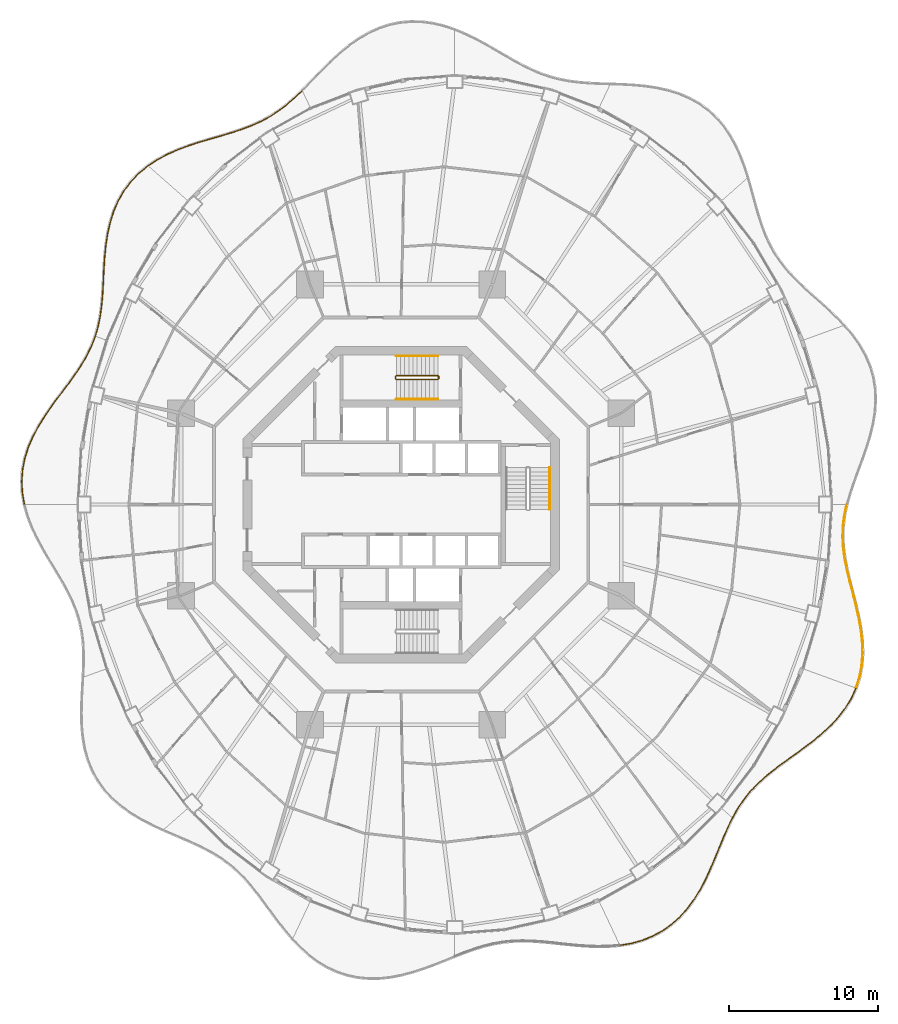
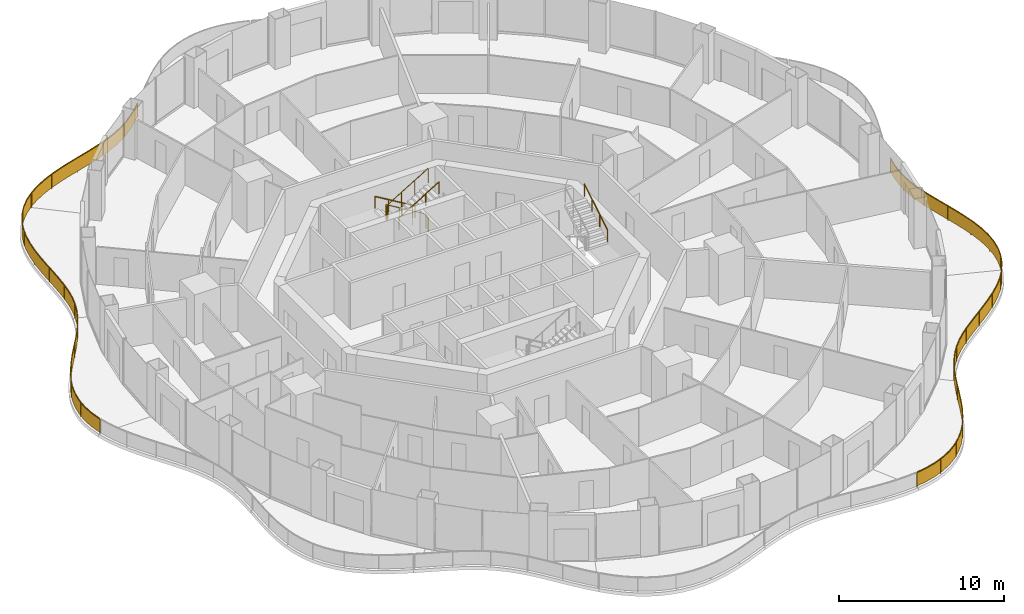
# One storey, part 18 of 19: 10 railings.
"""IFC4 building model written with IfcOpenShell, lengths in metres."""

from ifc_helpers import new_model, si_unit, direction, frame, origin, origin_2d, place, context, subcontext, project, spatial, polyline, rectangle, circle, outline, extrude, material, type_object, element, save


model = new_model("IFC4")

# Units and contexts
model_context = context("Model", 3, precision=1e-05, world=origin(), true_north=direction((0.0, 1.0)))
body_context = subcontext(model_context, "Body", "Model", "MODEL_VIEW")
ifc_project = project(units=[si_unit("LENGTHUNIT", "METRE"), si_unit("AREAUNIT", "SQUARE_METRE"), si_unit("VOLUMEUNIT", "CUBIC_METRE"), si_unit("PLANEANGLEUNIT", "RADIAN"), si_unit("MASSUNIT", "GRAM", prefix="KILO")], contexts=[model_context])

# Site, building, storey
site_placement = place(None, origin())
site = spatial("IfcSite", under=ifc_project, at=site_placement, CompositionType="ELEMENT")
building_placement = place(site_placement, origin())
building = spatial("IfcBuilding", under=site, at=building_placement, Name="Nagisa Residences", CompositionType="ELEMENT")
storey_placement = place(building_placement, frame((0.0, 0.0, 169.60009765625)))
storey = spatial("IfcBuildingStorey", under=building, at=storey_placement, Name="L42", CompositionType="ELEMENT", Elevation=169.60009765625)

# Railings
ifc_material_1 = material(Name="Stainless steel 316", Category="steel")
railing_type_1 = type_object("IfcRailingType", Name="BALCONY GUARD 1100", PredefinedType="BALUSTRADE", material=ifc_material_1)
railing_1_placement = place(storey_placement, frame((-6.66259765625, 27.766845703125, 0.0)))
element("IfcRailing", 1, at=railing_1_placement, inside=storey, type_object=railing_type_1, Name="guard:L42:bal05-0", PredefinedType="BALUSTRADE", context=body_context, shape_type="SweptSolid", body=[
    extrude(outline(polyline([(-0.469970703125, -0.48388671875), (0.017333984375, -0.01806640625), (-0.017333984375, 0.01806640625), (-0.503662109375, -0.44677734375), (-1.030517578125, -0.90283203125), (-1.572265625, -1.3154296875), (-2.1357421875, -1.682861328125), (-2.72607421875, -2.006103515625), (-3.3330078125, -2.28076171875), (-3.9853515625, -2.53173828125), (-4.667724609375, -2.7587890625), (-5.37646484375, -2.97216796875), (-6.10546875, -3.18359375), (-6.834716796875, -3.39404296875), (-7.578125, -3.63671875), (-8.3125, -3.9111328125), (-9.026123046875, -4.227294921875), (-9.70751953125, -4.591796875), (-10.30615234375, -4.98291015625), (-10.27880859375, -5.02490234375), (-9.68212890625, -4.634765625), (-9.004150390625, -4.272216796875), (-8.29345703125, -3.95751953125), (-7.5615234375, -3.68408203125), (-6.820068359375, -3.44189453125), (-6.091796875, -3.2314453125), (-5.3623046875, -3.02001953125), (-4.652587890625, -2.806640625), (-3.96826171875, -2.5791015625), (-3.3134765625, -2.3271484375), (-2.70361328125, -2.051025390625), (-2.10986328125, -1.725830078125), (-1.54345703125, -1.3564453125), (-0.998779296875, -0.94189453125), (-0.469970703125, -0.48388671875)])), frame((0.0, 0.0, 1.050048828125)), (0.0, 0.0, 1.0), 0.050048828125),
    extrude(outline(polyline([(-0.482177734375, -0.470458984375), (0.0048828125, -0.005126953125), (-0.0048828125, 0.005126953125), (-0.491455078125, -0.460205078125), (-1.01904296875, -0.9169921875), (-1.56201171875, -1.330322265625), (-2.12646484375, -1.6982421875), (-2.718017578125, -2.022216796875), (-3.325927734375, -2.297607421875), (-3.979248046875, -2.548828125), (-4.662353515625, -2.776123046875), (-5.371337890625, -2.989501953125), (-6.1005859375, -3.20068359375), (-6.829345703125, -3.411376953125), (-7.572021484375, -3.65380859375), (-8.3056640625, -3.927734375), (-9.018310546875, -4.243408203125), (-9.698486328125, -4.607177734375), (-10.29638671875, -4.998046875), (-10.28857421875, -5.009765625), (-9.691162109375, -4.619384765625), (-9.011962890625, -4.256103515625), (-8.30029296875, -3.94091796875), (-7.567626953125, -3.6669921875), (-6.825439453125, -3.424560546875), (-6.0966796875, -3.21435546875), (-5.367431640625, -3.002685546875), (-4.657958984375, -2.789306640625), (-3.974365234375, -2.56201171875), (-3.320556640625, -2.310302734375), (-2.711669921875, -2.034912109375), (-2.119140625, -1.71044921875), (-1.5537109375, -1.341552734375), (-1.01025390625, -0.927734375), (-0.482177734375, -0.470458984375)])), frame((0.0, 0.0, 0.06005859375)), (0.0, 0.0, 1.0), 0.989990234375),
    extrude(rectangle(XDim=0.0400390625, YDim=0.0400390625, at=origin_2d()), origin(), (0.0, 0.0, 1.0), 1.050048828125),
    extrude(rectangle(XDim=0.0400390625, YDim=0.0400390625, at=origin_2d()), frame((-1.776611328125, -1.478515625, 0.0)), (0.0, 0.0, 1.0), 1.050048828125),
    extrude(rectangle(XDim=0.0400390625, YDim=0.0400390625, at=origin_2d()), frame((-3.845458984375, -2.5048828125, 0.0)), (0.0, 0.0, 1.0), 1.050048828125),
    extrude(rectangle(XDim=0.0400390625, YDim=0.0400390625, at=origin_2d()), frame((-6.05517578125, -3.19482421875, 0.0)), (0.0, 0.0, 1.0), 1.050048828125),
    extrude(rectangle(XDim=0.0400390625, YDim=0.0400390625, at=origin_2d()), frame((-8.25439453125, -3.916259765625, 0.0)), (0.0, 0.0, 1.0), 1.050048828125),
    extrude(rectangle(XDim=0.0400390625, YDim=0.0400390625, at=origin_2d()), frame((-10.29248046875, -5.00390625, 0.0)), (0.0, 0.0, 1.0), 1.050048828125),
])
railing_2_placement = place(storey_placement, frame((-17.017822265625, 22.7177734375, 0.0)))
element("IfcRailing", 2, at=railing_2_placement, inside=storey, type_object=railing_type_1, Name="guard:L42:bal06-0", PredefinedType="BALUSTRADE", context=body_context, shape_type="SweptSolid", body=[
    extrude(outline(polyline([(-0.557373046875, -0.486572265625), (0.015869140625, -0.019287109375), (-0.015869140625, 0.019287109375), (-0.591064453125, -0.449462890625), (-1.134765625, -1.01220703125), (-1.603759765625, -1.634765625), (-1.9951171875, -2.311767578125), (-2.308349609375, -3.034912109375), (-2.54150390625, -3.78515625), (-2.716796875, -4.573974609375), (-2.8369140625, -5.3798828125), (-2.9150390625, -6.19189453125), (-2.9658203125, -7.000244140625), (-2.998779296875, -7.783203125), (-3.043212890625, -8.560302734375), (-3.107177734375, -9.313720703125), (-3.204345703125, -10.040771484375), (-3.34619140625, -10.7412109375), (-3.52880859375, -11.377197265625), (-3.48046875, -11.390869140625), (-3.29736328125, -10.7529296875), (-3.155029296875, -10.049072265625), (-3.057373046875, -9.319091796875), (-2.993408203125, -8.563720703125), (-2.948974609375, -7.78564453125), (-2.916015625, -7.002685546875), (-2.865234375, -6.19580078125), (-2.787109375, -5.3857421875), (-2.66748046875, -4.583251953125), (-2.4931640625, -3.7978515625), (-2.261474609375, -3.052490234375), (-1.9501953125, -2.334228515625), (-1.561767578125, -1.66259765625), (-1.0966796875, -1.044921875), (-0.557373046875, -0.486572265625)])), frame((0.0, 0.0, 1.050048828125)), (0.0, 0.0, 1.0), 0.050048828125),
    extrude(outline(polyline([(-0.569580078125, -0.47314453125), (0.00439453125, -0.00537109375), (-0.00439453125, 0.00537109375), (-0.578857421875, -0.462890625), (-1.12109375, -1.02392578125), (-1.588623046875, -1.644775390625), (-1.97900390625, -2.31982421875), (-2.29150390625, -3.041259765625), (-2.524169921875, -3.789794921875), (-2.698974609375, -4.577392578125), (-2.81884765625, -5.382080078125), (-2.897216796875, -6.193359375), (-2.947998046875, -7.0009765625), (-2.98095703125, -7.7841796875), (-3.025390625, -8.5615234375), (-3.08935546875, -9.315673828125), (-3.1865234375, -10.043701171875), (-3.32861328125, -10.745361328125), (-3.511474609375, -11.382080078125), (-3.497802734375, -11.385986328125), (-3.31494140625, -10.748779296875), (-3.1728515625, -10.046142578125), (-3.0751953125, -9.317138671875), (-3.01123046875, -8.5625), (-2.966796875, -7.78466796875), (-2.933837890625, -7.001953125), (-2.883056640625, -6.1943359375), (-2.80517578125, -5.383544921875), (-2.685302734375, -4.579833984375), (-2.510498046875, -3.793212890625), (-2.2783203125, -3.046142578125), (-1.96630859375, -2.326171875), (-1.576904296875, -1.652587890625), (-1.1103515625, -1.033203125), (-0.569580078125, -0.47314453125)])), frame((0.0, 0.0, 0.06005859375)), (0.0, 0.0, 1.0), 0.989990234375),
    extrude(rectangle(XDim=0.0400390625, YDim=0.0400390625, at=origin_2d()), origin(), (0.0, 0.0, 1.0), 1.050048828125),
    extrude(rectangle(XDim=0.0400390625, YDim=0.0400390625, at=origin_2d()), frame((-1.4365234375, -1.45458984375, 0.0)), (0.0, 0.0, 1.0), 1.050048828125),
    extrude(rectangle(XDim=0.0400390625, YDim=0.0400390625, at=origin_2d()), frame((-2.35791015625, -3.27880859375, 0.0)), (0.0, 0.0, 1.0), 1.050048828125),
    extrude(rectangle(XDim=0.0400390625, YDim=0.0400390625, at=origin_2d()), frame((-2.796875, -5.281005859375, 0.0)), (0.0, 0.0, 1.0), 1.050048828125),
    extrude(rectangle(XDim=0.0400390625, YDim=0.0400390625, at=origin_2d()), frame((-2.95458984375, -7.327880859375, 0.0)), (0.0, 0.0, 1.0), 1.050048828125),
    extrude(rectangle(XDim=0.0400390625, YDim=0.0400390625, at=origin_2d()), frame((-3.09033203125, -9.37646484375, 0.0)), (0.0, 0.0, 1.0), 1.050048828125),
    extrude(rectangle(XDim=0.0400390625, YDim=0.0400390625, at=origin_2d()), frame((-3.504638671875, -11.384033203125, 0.0)), (0.0, 0.0, 1.0), 1.050048828125),
])
railing_3_placement = place(storey_placement, frame((-20.544189453125, 11.2685546875, 0.0)))
element("IfcRailing", 3, at=railing_3_placement, inside=storey, type_object=railing_type_1, Name="guard:L42:bal07-0", PredefinedType="BALUSTRADE", context=body_context, shape_type="SweptSolid", body=[
    extrude(outline(polyline([(-0.22265625, -0.647216796875), (0.0234375, -0.009033203125), (-0.0234375, 0.009033203125), (-0.2685546875, -0.627197265625), (-0.589599609375, -1.283203125), (-0.96826171875, -1.92822265625), (-1.396484375, -2.568359375), (-1.8623046875, -3.21142578125), (-2.34765625, -3.849609375), (-2.84130859375, -4.51611328125), (-3.3212890625, -5.200927734375), (-3.76806640625, -5.906494140625), (-4.163818359375, -6.6337890625), (-4.489990234375, -7.36767578125), (-4.736083984375, -8.133544921875), (-4.890869140625, -8.9130859375), (-4.9482421875, -9.701416015625), (-4.9072265625, -10.492431640625), (-4.778076171875, -11.23486328125), (-4.728759765625, -11.22607421875), (-4.857421875, -10.487060546875), (-4.89794921875, -9.701904296875), (-4.841064453125, -8.919921875), (-4.687744140625, -8.146240234375), (-4.443115234375, -7.3857421875), (-4.118896484375, -6.65576171875), (-3.72509765625, -5.931884765625), (-3.27978515625, -5.228759765625), (-2.80078125, -4.54541015625), (-2.3076171875, -3.8798828125), (-1.822265625, -3.2412109375), (-1.35546875, -2.59716796875), (-0.92578125, -1.95458984375), (-0.545654296875, -1.30712890625), (-0.22265625, -0.647216796875)])), frame((0.0, 0.0, 1.050048828125)), (0.0, 0.0, 1.0), 0.050048828125),
    extrude(outline(polyline([(-0.2392578125, -0.639892578125), (0.006591796875, -0.00244140625), (-0.006591796875, 0.00244140625), (-0.251953125, -0.634521484375), (-0.57373046875, -1.291748046875), (-0.952880859375, -1.937744140625), (-1.3818359375, -2.578857421875), (-1.847900390625, -3.22216796875), (-2.333251953125, -3.860595703125), (-2.82666015625, -4.526611328125), (-3.306396484375, -5.2109375), (-3.752685546875, -5.91552734375), (-4.147705078125, -6.6416015625), (-4.47314453125, -7.374267578125), (-4.71875, -8.13818359375), (-4.872802734375, -8.91552734375), (-4.93017578125, -9.70166015625), (-4.889404296875, -10.490478515625), (-4.76025390625, -11.231689453125), (-4.74658203125, -11.229248046875), (-4.875244140625, -10.489013671875), (-4.916015625, -9.70166015625), (-4.859130859375, -8.91748046875), (-4.705078125, -8.1416015625), (-4.4599609375, -7.379150390625), (-4.135009765625, -6.64794921875), (-3.740478515625, -5.9228515625), (-3.294677734375, -5.21875), (-2.8154296875, -4.534912109375), (-2.322021484375, -3.868896484375), (-1.836669921875, -3.23046875), (-1.3701171875, -2.586669921875), (-0.941162109375, -1.945068359375), (-0.5615234375, -1.298583984375), (-0.2392578125, -0.639892578125)])), frame((0.0, 0.0, 0.06005859375)), (0.0, 0.0, 1.0), 0.989990234375),
    extrude(rectangle(XDim=0.0400390625, YDim=0.0400390625, at=origin_2d()), origin(), (0.0, 0.0, 1.0), 1.050048828125),
    extrude(rectangle(XDim=0.0400390625, YDim=0.0400390625, at=origin_2d()), frame((-0.91259765625, -1.882568359375, 0.0)), (0.0, 0.0, 1.0), 1.050048828125),
    extrude(rectangle(XDim=0.0400390625, YDim=0.0400390625, at=origin_2d()), frame((-2.121826171875, -3.59423828125, 0.0)), (0.0, 0.0, 1.0), 1.050048828125),
    extrude(rectangle(XDim=0.0400390625, YDim=0.0400390625, at=origin_2d()), frame((-3.35009765625, -5.29296875, 0.0)), (0.0, 0.0, 1.0), 1.050048828125),
    extrude(rectangle(XDim=0.0400390625, YDim=0.0400390625, at=origin_2d()), frame((-4.356201171875, -7.12841796875, 0.0)), (0.0, 0.0, 1.0), 1.050048828125),
    extrude(rectangle(XDim=0.0400390625, YDim=0.0400390625, at=origin_2d()), frame((-4.8828125, -9.1474609375, 0.0)), (0.0, 0.0, 1.0), 1.050048828125),
    extrude(rectangle(XDim=0.0400390625, YDim=0.0400390625, at=origin_2d()), frame((-4.75341796875, -11.23046875, 0.0)), (0.0, 0.0, 1.0), 1.050048828125),
])
railing_4_placement = place(storey_placement, frame((14.724365234375, -29.589111328125, 0.0)))
element("IfcRailing", 4, at=railing_4_placement, inside=storey, type_object=railing_type_1, Name="guard:L42:bal13-0", PredefinedType="BALUSTRADE", context=body_context, shape_type="SweptSolid", body=[
    extrude(outline(polyline([(0.713623046875, 0.146240234375), (-0.004150390625, 0.024658203125), (0.004150390625, -0.024658203125), (0.724365234375, 0.097412109375), (1.4658203125, 0.302734375), (2.1728515625, 0.5849609375), (2.837646484375, 0.945556640625), (3.452880859375, 1.380859375), (4.006591796875, 1.880615234375), (4.5185546875, 2.451171875), (4.9775390625, 3.0751953125), (5.3876953125, 3.740478515625), (5.75390625, 4.435546875), (6.072509765625, 5.13623046875), (6.376708984375, 5.851318359375), (6.66552734375, 6.558837890625), (6.949951171875, 7.2490234375), (7.24169921875, 7.9130859375), (7.531494140625, 8.5078125), (7.486572265625, 8.52978515625), (7.1962890625, 7.93408203125), (6.904052734375, 7.2685546875), (6.619140625, 6.577880859375), (6.330322265625, 5.870361328125), (6.026611328125, 5.15625), (5.708984375, 4.45751953125), (5.34423828125, 3.765380859375), (4.93603515625, 3.10302734375), (4.4794921875, 2.48291015625), (3.970947265625, 1.915771484375), (3.421630859375, 1.419921875), (2.811279296875, 0.988037109375), (2.1513671875, 0.63037109375), (1.44970703125, 0.35009765625), (0.713623046875, 0.146240234375)])), frame((0.0, 0.0, 1.050048828125)), (0.0, 0.0, 1.0), 0.050048828125),
    extrude(outline(polyline([(0.717529296875, 0.128662109375), (-0.001220703125, 0.0068359375), (0.001220703125, -0.0068359375), (0.720458984375, 0.114990234375), (1.4599609375, 0.31982421875), (2.1650390625, 0.601318359375), (2.828125, 0.9609375), (3.441650390625, 1.39501953125), (3.99365234375, 1.893310546875), (4.50439453125, 2.462646484375), (4.962646484375, 3.085205078125), (5.3720703125, 3.74951171875), (5.73779296875, 4.443359375), (6.055908203125, 5.143310546875), (6.35986328125, 5.858154296875), (6.64892578125, 6.565673828125), (6.933349609375, 7.256103515625), (7.225341796875, 7.920654296875), (7.515380859375, 8.515625), (7.502685546875, 8.52197265625), (7.212646484375, 7.926513671875), (6.920654296875, 7.261474609375), (6.6357421875, 6.571044921875), (6.34716796875, 5.863525390625), (6.043212890625, 5.149169921875), (5.72509765625, 4.44970703125), (5.35986328125, 3.75634765625), (4.950927734375, 3.093017578125), (4.49365234375, 2.471435546875), (3.98388671875, 1.903076171875), (3.432861328125, 1.40576171875), (2.82080078125, 0.97265625), (2.1591796875, 0.614013671875), (1.45556640625, 0.3330078125), (0.717529296875, 0.128662109375)])), frame((0.0, 0.0, 0.06005859375)), (0.0, 0.0, 1.0), 0.989990234375),
    extrude(rectangle(XDim=0.0400390625, YDim=0.0400390625, at=origin_2d()), origin(), (0.0, 0.0, 1.0), 1.050048828125),
    extrude(rectangle(XDim=0.0400390625, YDim=0.0400390625, at=origin_2d()), frame((1.93310546875, 0.51611328125, 0.0)), (0.0, 0.0, 1.0), 1.050048828125),
    extrude(rectangle(XDim=0.0400390625, YDim=0.0400390625, at=origin_2d()), frame((3.6279296875, 1.572509765625, 0.0)), (0.0, 0.0, 1.0), 1.050048828125),
    extrude(rectangle(XDim=0.0400390625, YDim=0.0400390625, at=origin_2d()), frame((4.947998046875, 3.0771484375, 0.0)), (0.0, 0.0, 1.0), 1.050048828125),
    extrude(rectangle(XDim=0.0400390625, YDim=0.0400390625, at=origin_2d()), frame((5.908935546875, 4.837158203125, 0.0)), (0.0, 0.0, 1.0), 1.050048828125),
    extrude(rectangle(XDim=0.0400390625, YDim=0.0400390625, at=origin_2d()), frame((6.69091796875, 6.68603515625, 0.0)), (0.0, 0.0, 1.0), 1.050048828125),
    extrude(rectangle(XDim=0.0400390625, YDim=0.0400390625, at=origin_2d()), frame((7.509033203125, 8.518798828125, 0.0)), (0.0, 0.0, 1.0), 1.050048828125),
])
railing_5_placement = place(storey_placement, frame((22.264892578125, -21.006103515625, 0.0)))
element("IfcRailing", 5, at=railing_5_placement, inside=storey, type_object=railing_type_1, Name="guard:L42:bal14-0", PredefinedType="BALUSTRADE", context=body_context, shape_type="SweptSolid", body=[
    extrude(outline(polyline([(0.312255859375, 0.60302734375), (-0.021728515625, 0.01220703125), (0.021728515625, -0.01220703125), (0.354736328125, 0.57666015625), (0.748291015625, 1.16259765625), (1.1865234375, 1.710693359375), (1.673095703125, 2.225341796875), (2.20703125, 2.712890625), (2.77587890625, 3.169677734375), (3.3896484375, 3.62939453125), (4.028564453125, 4.090087890625), (4.6796875, 4.560791015625), (5.328369140625, 5.050048828125), (5.9521484375, 5.553466796875), (6.5478515625, 6.10302734375), (7.09375, 6.689453125), (7.576171875, 7.314453125), (7.983154296875, 7.978271484375), (8.287841796875, 8.635498046875), (8.242431640625, 8.656494140625), (7.939208984375, 8.002197265625), (7.53466796875, 7.3427734375), (7.0556640625, 6.7216796875), (6.5126953125, 6.138671875), (5.91943359375, 5.591552734375), (5.297607421875, 5.089599609375), (4.64990234375, 4.600830078125), (3.999267578125, 4.130615234375), (3.35986328125, 3.669921875), (2.7451171875, 3.209228515625), (2.17431640625, 2.7509765625), (1.637939453125, 2.260986328125), (1.14892578125, 1.743408203125), (0.707763671875, 1.1923828125), (0.312255859375, 0.60302734375)])), frame((0.0, 0.0, 1.050048828125)), (0.0, 0.0, 1.0), 0.050048828125),
    extrude(outline(polyline([(0.32763671875, 0.593505859375), (-0.006103515625, 0.00341796875), (0.006103515625, -0.00341796875), (0.33935546875, 0.586181640625), (0.733642578125, 1.17333984375), (1.173095703125, 1.722412109375), (1.660400390625, 2.23828125), (2.1953125, 2.7265625), (2.764892578125, 3.183837890625), (3.37890625, 3.64404296875), (4.01806640625, 4.104736328125), (4.6689453125, 4.5751953125), (5.3173828125, 5.064208984375), (5.9404296875, 5.567138671875), (6.53515625, 6.115966796875), (7.080078125, 6.700927734375), (7.561279296875, 7.32470703125), (7.96728515625, 7.98681640625), (8.271484375, 8.64306640625), (8.2587890625, 8.64892578125), (7.955078125, 7.99365234375), (7.549560546875, 7.33251953125), (7.0693359375, 6.710205078125), (6.525390625, 6.125732421875), (5.93115234375, 5.577880859375), (5.30859375, 5.075439453125), (4.66064453125, 4.58642578125), (4.009765625, 4.115966796875), (3.37060546875, 3.6552734375), (2.756103515625, 3.195068359375), (2.18603515625, 2.7373046875), (1.650634765625, 2.248046875), (1.162353515625, 1.731689453125), (0.722412109375, 1.181640625), (0.32763671875, 0.593505859375)])), frame((0.0, 0.0, 0.06005859375)), (0.0, 0.0, 1.0), 0.989990234375),
    extrude(rectangle(XDim=0.0400390625, YDim=0.0400390625, at=origin_2d()), origin(), (0.0, 0.0, 1.0), 1.050048828125),
    extrude(rectangle(XDim=0.0400390625, YDim=0.0400390625, at=origin_2d()), frame((1.12451171875, 1.6728515625, 0.0)), (0.0, 0.0, 1.0), 1.050048828125),
    extrude(rectangle(XDim=0.0400390625, YDim=0.0400390625, at=origin_2d()), frame((2.5927734375, 3.0546875, 0.0)), (0.0, 0.0, 1.0), 1.050048828125),
    extrude(rectangle(XDim=0.0400390625, YDim=0.0400390625, at=origin_2d()), frame((4.216064453125, 4.25634765625, 0.0)), (0.0, 0.0, 1.0), 1.050048828125),
    extrude(rectangle(XDim=0.0400390625, YDim=0.0400390625, at=origin_2d()), frame((5.822021484375, 5.480712890625, 0.0)), (0.0, 0.0, 1.0), 1.050048828125),
    extrude(rectangle(XDim=0.0400390625, YDim=0.0400390625, at=origin_2d()), frame((7.237060546875, 6.916259765625, 0.0)), (0.0, 0.0, 1.0), 1.050048828125),
    extrude(rectangle(XDim=0.0400390625, YDim=0.0400390625, at=origin_2d()), frame((8.26513671875, 8.64599609375, 0.0)), (0.0, 0.0, 1.0), 1.050048828125),
])
railing_6_placement = place(storey_placement, frame((30.55810546875, -12.2880859375, 0.0)))
element("IfcRailing", 6, at=railing_6_placement, inside=storey, type_object=railing_type_1, Name="guard:L42:bal15-0", PredefinedType="BALUSTRADE", context=body_context, shape_type="SweptSolid", body=[
    extrude(outline(polyline([(0.203125, 0.7158203125), (-0.02392578125, 0.007568359375), (0.02392578125, -0.007568359375), (0.251953125, 0.70361328125), (0.400390625, 1.48828125), (0.45849609375, 2.2939453125), (0.434326171875, 3.11279296875), (0.34033203125, 3.9375), (0.1884765625, 4.746826171875), (0.002685546875, 5.561767578125), (-0.201416015625, 6.364501953125), (-0.40478515625, 7.151611328125), (-0.588623046875, 7.92138671875), (-0.738525390625, 8.660888671875), (-0.837890625, 9.399658203125), (-0.87841796875, 10.126708984375), (-0.85498046875, 10.847412109375), (-0.765625, 11.56640625), (-0.62255859375, 12.248291015625), (-0.67138671875, 12.258544921875), (-0.81494140625, 11.57470703125), (-0.90478515625, 10.851318359375), (-0.9287109375, 10.126220703125), (-0.8876953125, 9.394775390625), (-0.787841796875, 8.652587890625), (-0.637451171875, 7.91064453125), (-0.453125, 7.139404296875), (-0.249755859375, 6.352294921875), (-0.046142578125, 5.550048828125), (0.1396484375, 4.736572265625), (0.291015625, 3.93017578125), (0.384521484375, 3.109375), (0.408203125, 2.294921875), (0.3505859375, 1.49462890625), (0.203125, 0.7158203125)])), frame((0.0, 0.0, 1.050048828125)), (0.0, 0.0, 1.0), 0.050048828125),
    extrude(outline(polyline([(0.220703125, 0.71142578125), (-0.006591796875, 0.002197265625), (0.006591796875, -0.002197265625), (0.234375, 0.7080078125), (0.38232421875, 1.490478515625), (0.4404296875, 2.294189453125), (0.41650390625, 3.111572265625), (0.322509765625, 3.934814453125), (0.1708984375, 4.7431640625), (-0.014892578125, 5.5576171875), (-0.21875, 6.360107421875), (-0.422119140625, 7.147216796875), (-0.606201171875, 7.91748046875), (-0.75634765625, 8.657958984375), (-0.855712890625, 9.39794921875), (-0.896484375, 10.12646484375), (-0.872802734375, 10.848876953125), (-0.783447265625, 11.5693359375), (-0.64013671875, 12.251953125), (-0.65380859375, 12.2548828125), (-0.797119140625, 11.57177734375), (-0.886962890625, 10.849853515625), (-0.91064453125, 10.12646484375), (-0.869873046875, 9.396484375), (-0.77001953125, 8.655517578125), (-0.619873046875, 7.91455078125), (-0.435791015625, 7.143798828125), (-0.232421875, 6.356689453125), (-0.028564453125, 5.55419921875), (0.1572265625, 4.740234375), (0.308837890625, 3.932861328125), (0.40234375, 3.110595703125), (0.42626953125, 2.294677734375), (0.36865234375, 1.492431640625), (0.220703125, 0.71142578125)])), frame((0.0, 0.0, 0.06005859375)), (0.0, 0.0, 1.0), 0.989990234375),
    extrude(rectangle(XDim=0.0400390625, YDim=0.0400390625, at=origin_2d()), origin(), (0.0, 0.0, 1.0), 1.050048828125),
    extrude(rectangle(XDim=0.0400390625, YDim=0.0400390625, at=origin_2d()), frame((0.4140625, 2.026123046875, 0.0)), (0.0, 0.0, 1.0), 1.050048828125),
    extrude(rectangle(XDim=0.0400390625, YDim=0.0400390625, at=origin_2d()), frame((0.28564453125, 4.093994140625, 0.0)), (0.0, 0.0, 1.0), 1.050048828125),
    extrude(rectangle(XDim=0.0400390625, YDim=0.0400390625, at=origin_2d()), frame((-0.165283203125, 6.12109375, 0.0)), (0.0, 0.0, 1.0), 1.050048828125),
    extrude(rectangle(XDim=0.0400390625, YDim=0.0400390625, at=origin_2d()), frame((-0.658203125, 8.138427734375, 0.0)), (0.0, 0.0, 1.0), 1.050048828125),
    extrude(rectangle(XDim=0.0400390625, YDim=0.0400390625, at=origin_2d()), frame((-0.9013671875, 10.197021484375, 0.0)), (0.0, 0.0, 1.0), 1.050048828125),
    extrude(rectangle(XDim=0.0400390625, YDim=0.0400390625, at=origin_2d()), frame((-0.64697265625, 12.25341796875, 0.0)), (0.0, 0.0, 1.0), 1.050048828125),
])
ifc_material_2 = material(Name="Stainless steel", Category="steel")
railing_type_2 = type_object("IfcRailingType", Name="Stair guard 1100", PredefinedType="GUARDRAIL", material=ifc_material_2)
railing_7_placement = place(storey_placement, frame((2.52490234375, 8.44970703125, 0.0)))
element("IfcRailing", 7, at=railing_7_placement, inside=storey, type_object=railing_type_2, Name="L42 ST-N stair guard 1", PredefinedType="GUARDRAIL", context=body_context, shape_type="SweptSolid", body=[
    extrude(circle(Radius=0.02392578125, at=origin_2d()), frame((0.0, 0.0, 1.076171875), z_axis=(0.0, 1.0, 0.0), x_axis=(-1.0, 0.0, 0.0)), (0.0, 0.0, 1.0), 0.14990234375),
    extrude(circle(Radius=0.02392578125, at=origin_2d()), frame((0.0, 0.14990234375, 1.076171875), z_axis=(-0.273343290215, 0.274683208305, 0.921863645432), x_axis=(-0.708833529934, -0.705375805398, 0.0)), (0.0, 0.0, 1.0), 0.18212890625),
    extrude(circle(Radius=0.02392578125, at=origin_2d()), frame((-0.0498046875, 0.199951171875, 1.244140625), z_axis=(-0.857242210791, 0.0, 0.514913383045), x_axis=(0.0, -1.0, 0.0)), (0.0, 0.0, 1.0), 3.266357421875),
    extrude(circle(Radius=0.02392578125, at=origin_2d()), frame((-2.849853515625, 0.199951171875, 2.92578125), z_axis=(-0.707106781187, -0.707106781187, 0.0), x_axis=(0.707106781187, -0.707106781187, 0.0)), (0.0, 0.0, 1.0), 0.07080078125),
    extrude(circle(Radius=0.02392578125, at=origin_2d()), frame((-2.89990234375, 0.14990234375, 2.92578125), z_axis=(0.0, -1.0, 0.0), x_axis=(1.0, 0.0, 0.0)), (0.0, 0.0, 1.0), 0.14990234375),
    extrude(circle(Radius=0.02392578125, at=origin_2d()), frame((-2.89990234375, 0.0, 2.92578125), z_axis=(0.274243871929, -0.274243871929, 0.92172696468), x_axis=(0.707106781187, 0.707106781187, 0.0)), (0.0, 0.0, 1.0), 0.1826171875),
    extrude(circle(Radius=0.02392578125, at=origin_2d()), frame((-2.849853515625, -0.050048828125, 3.09423828125), z_axis=(0.857242210791, 0.0, 0.514913383045), x_axis=(0.0, 1.0, 0.0)), (0.0, 0.0, 1.0), 3.266357421875),
    extrude(circle(Radius=0.02099609375, at=origin_2d()), origin(), (0.0, 0.0, 1.0), 1.052001953125),
    extrude(circle(Radius=0.02099609375, at=origin_2d()), frame((0.0, 0.14990234375, 0.0)), (0.0, 0.0, 1.0), 1.052001953125),
    extrude(circle(Radius=0.02099609375, at=origin_2d()), frame((-0.0498046875, 0.199951171875, 0.16796875)), (0.0, 0.0, 1.0), 1.052001953125),
    extrude(circle(Radius=0.02099609375, at=origin_2d()), frame((-0.983154296875, 0.199951171875, 0.728515625)), (0.0, 0.0, 1.0), 1.052001953125),
    extrude(circle(Radius=0.02099609375, at=origin_2d()), frame((-1.91650390625, 0.199951171875, 1.289306640625)), (0.0, 0.0, 1.0), 1.052001953125),
    extrude(circle(Radius=0.02099609375, at=origin_2d()), frame((-2.849853515625, 0.199951171875, 1.849853515625)), (0.0, 0.0, 1.0), 1.052001953125),
    extrude(circle(Radius=0.02099609375, at=origin_2d()), frame((-2.89990234375, 0.14990234375, 1.849853515625)), (0.0, 0.0, 1.0), 1.052001953125),
    extrude(circle(Radius=0.02099609375, at=origin_2d()), frame((-2.89990234375, 0.0, 1.849853515625)), (0.0, 0.0, 1.0), 1.052001953125),
    extrude(circle(Radius=0.02099609375, at=origin_2d()), frame((-2.849853515625, -0.050048828125, 2.01806640625)), (0.0, 0.0, 1.0), 1.052001953125),
    extrude(circle(Radius=0.02099609375, at=origin_2d()), frame((-1.91650390625, -0.050048828125, 2.57861328125)), (0.0, 0.0, 1.0), 1.052001953125),
    extrude(circle(Radius=0.02099609375, at=origin_2d()), frame((-0.983154296875, -0.050048828125, 3.139404296875)), (0.0, 0.0, 1.0), 1.052001953125),
    extrude(circle(Radius=0.02099609375, at=origin_2d()), frame((-0.0498046875, -0.050048828125, 3.699951171875)), (0.0, 0.0, 1.0), 1.052001953125),
])
ifc_material_3 = material(Name="Stainless steel", Category="steel")
railing_type_3 = type_object("IfcRailingType", Name="Stair handrail 900", PredefinedType="HANDRAIL", material=ifc_material_3)
railing_8_placement = place(storey_placement, frame((9.974609375, -0.324951171875, 2.01806640625)))
element("IfcRailing", 8, at=railing_8_placement, inside=storey, type_object=railing_type_3, Name="L42 ST-E stair handrail 2", PredefinedType="HANDRAIL", context=body_context, shape_type="SweptSolid", body=[
    extrude(circle(Radius=0.02392578125, at=origin_2d()), frame((0.0, 0.0, 0.8759765625), z_axis=(0.0, 0.857242210791, 0.514913383045), x_axis=(-1.0, 0.0, 0.0)), (0.0, 0.0, 1.0), 3.266357421875),
    extrude(circle(Radius=0.02099609375, at=origin_2d()), origin(), (0.0, 0.0, 1.0), 0.851806640625),
    extrude(circle(Radius=0.02099609375, at=origin_2d()), frame((0.0, 0.933349609375, 0.560546875)), (0.0, 0.0, 1.0), 0.851806640625),
    extrude(circle(Radius=0.02099609375, at=origin_2d()), frame((0.0, 1.86669921875, 1.121337890625)), (0.0, 0.0, 1.0), 0.851806640625),
    extrude(circle(Radius=0.02099609375, at=origin_2d()), frame((0.0, 2.800048828125, 1.681884765625)), (0.0, 0.0, 1.0), 0.851806640625),
])
railing_9_placement = place(storey_placement, frame((2.47509765625, 9.974609375, 0.16796875)))
element("IfcRailing", 9, at=railing_9_placement, inside=storey, type_object=railing_type_3, Name="L42 ST-N stair handrail 1", PredefinedType="HANDRAIL", context=body_context, shape_type="SweptSolid", body=[
    extrude(circle(Radius=0.02392578125, at=origin_2d()), frame((0.0, 0.0, 0.8759765625), z_axis=(-0.857242210791, 0.0, 0.514913383045), x_axis=(0.0, -1.0, 0.0)), (0.0, 0.0, 1.0), 3.266357421875),
    extrude(circle(Radius=0.02099609375, at=origin_2d()), origin(), (0.0, 0.0, 1.0), 0.851806640625),
    extrude(circle(Radius=0.02099609375, at=origin_2d()), frame((-0.933349609375, 0.0, 0.560546875)), (0.0, 0.0, 1.0), 0.851806640625),
    extrude(circle(Radius=0.02099609375, at=origin_2d()), frame((-1.86669921875, 0.0, 1.121337890625)), (0.0, 0.0, 1.0), 0.851806640625),
    extrude(circle(Radius=0.02099609375, at=origin_2d()), frame((-2.800048828125, 0.0, 1.681884765625)), (0.0, 0.0, 1.0), 0.851806640625),
])
railing_10_placement = place(storey_placement, frame((-0.324951171875, 7.07470703125, 2.01806640625)))
element("IfcRailing", 10, at=railing_10_placement, inside=storey, type_object=railing_type_3, Name="L42 ST-N stair handrail 2", PredefinedType="HANDRAIL", context=body_context, shape_type="SweptSolid", body=[
    extrude(circle(Radius=0.02392578125, at=origin_2d()), frame((0.0, 0.0, 0.8759765625), z_axis=(0.857242210791, 0.0, 0.514913383045), x_axis=(0.0, 1.0, 0.0)), (0.0, 0.0, 1.0), 3.266357421875),
    extrude(circle(Radius=0.02099609375, at=origin_2d()), origin(), (0.0, 0.0, 1.0), 0.851806640625),
    extrude(circle(Radius=0.02099609375, at=origin_2d()), frame((0.933349609375, 0.0, 0.560546875)), (0.0, 0.0, 1.0), 0.851806640625),
    extrude(circle(Radius=0.02099609375, at=origin_2d()), frame((1.86669921875, 0.0, 1.121337890625)), (0.0, 0.0, 1.0), 0.851806640625),
    extrude(circle(Radius=0.02099609375, at=origin_2d()), frame((2.800048828125, 0.0, 1.681884765625)), (0.0, 0.0, 1.0), 0.851806640625),
])

save(model, "model.ifc")
